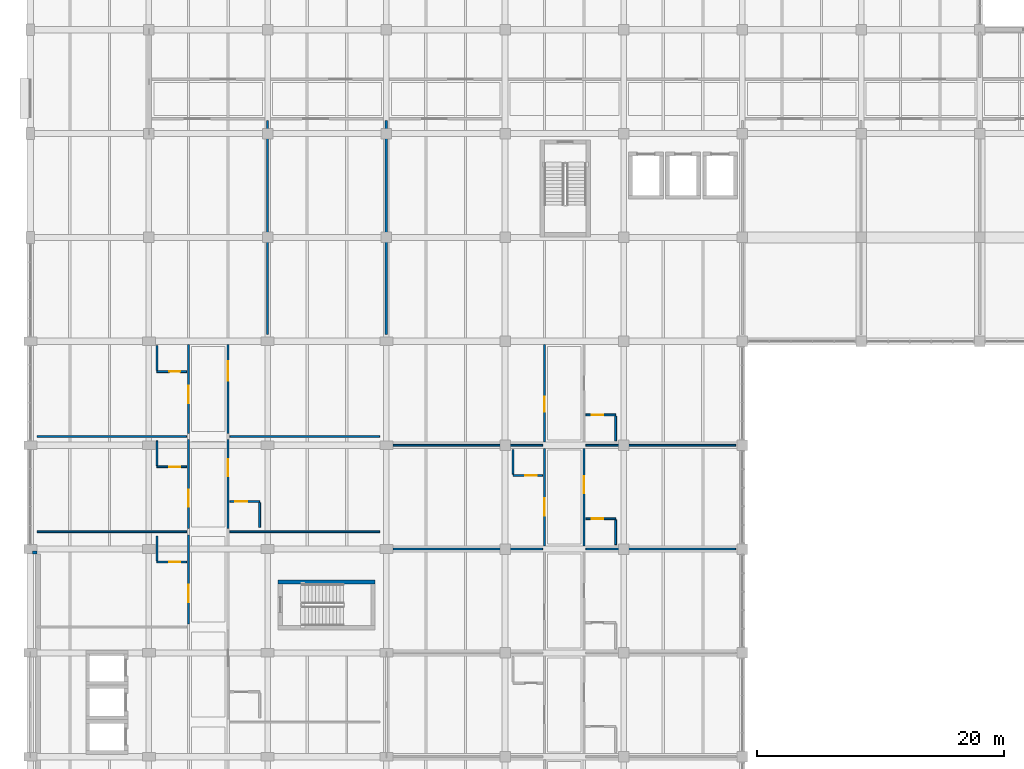
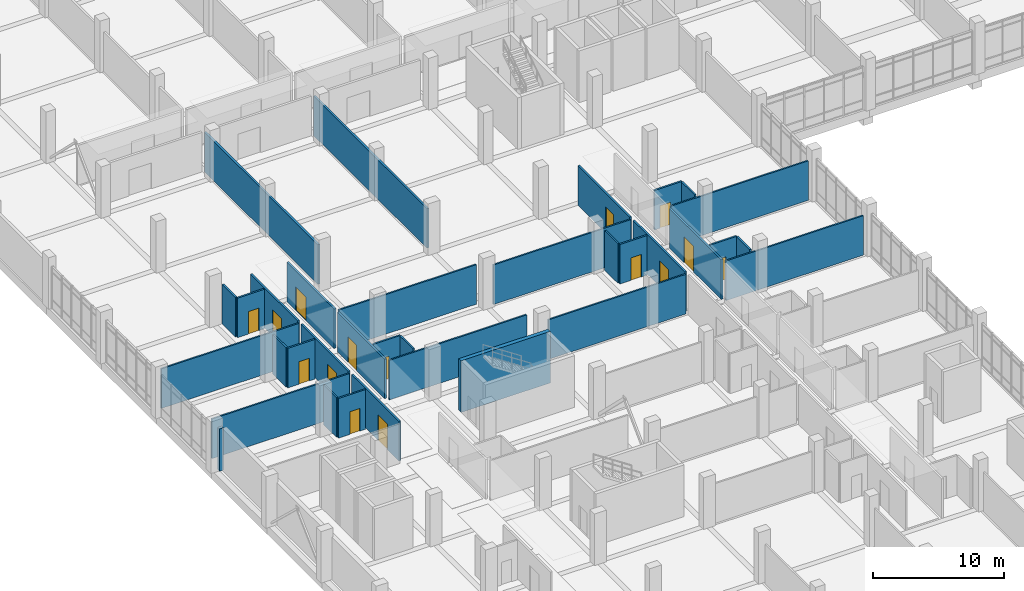
# One storey, part 122 of 152: 34 walls, 15 doors, 15 openings.
"""IFC4 building model written with IfcOpenShell, lengths in metres."""

from ifc_helpers import new_model, si_unit, direction, frame, frame_2d, origin, place, context, subcontext, project, spatial, rectangle, extrude, material, layer, layer_set, type_object, element, fill, save


model = new_model("IFC4")

# Units and contexts
model_context = context("Model", 3, precision=1e-05, world=origin(), true_north=direction((0.0, 1.0)))
body_context = subcontext(model_context, "Body", "Model", "MODEL_VIEW")
ifc_project = project(units=[si_unit("LENGTHUNIT", "METRE"), si_unit("AREAUNIT", "SQUARE_METRE"), si_unit("VOLUMEUNIT", "CUBIC_METRE"), si_unit("PLANEANGLEUNIT", "RADIAN"), si_unit("MASSUNIT", "GRAM", prefix="KILO")], contexts=[model_context])

# Site, building, storey
site_placement = place(None, origin())
site = spatial("IfcSite", under=ifc_project, at=site_placement, CompositionType="ELEMENT")
building_placement = place(site_placement, origin())
building = spatial("IfcBuilding", under=site, at=building_placement, Name="Oolite Switchyard Hospital", CompositionType="ELEMENT")
storey_placement = place(building_placement, frame((0.0, 0.0, 5.10009765625)))
storey = spatial("IfcBuildingStorey", under=building, at=storey_placement, Name="L01", CompositionType="ELEMENT", Elevation=5.10009765625)

# Walls
ifc_material_1 = material(Name="Precast oolitic limestone architectural concrete C40/50", Category="masonry")
ifc_layer_1 = layer(ifc_material_1, 0.260009765625)
ifc_layer_set_1 = layer_set([ifc_layer_1], Name="WAL-EXT-260")
wall_type_1 = type_object("IfcWallType", Name="WAL-EXT-260", PredefinedType="SOLIDWALL", material=ifc_layer_set_1)
wall_1_placement = place(storey_placement, frame((0.199951171875, 66.919921875, 0.0), z_axis=(0.0, 0.0, 1.0), x_axis=(1.0, 0.0, 0.0)))
element("IfcWall", 1, at=wall_1_placement, inside=storey, type_object=wall_type_1, Name="L01 Brace Alcove Cheek Wall 102", PredefinedType="SOLIDWALL", context=body_context, shape_type="SweptSolid", body=[
    extrude(rectangle(XDim=0.360107421875, YDim=0.260009765625, at=frame_2d((0.18017578125, 0.0))), origin(), (0.0, 0.0, 1.0), 3.93994140625),
])
ifc_material_2 = material(Name="Moisture-resistant gypsum board on steel studs", Category="steel")
ifc_layer_2 = layer(ifc_material_2, 0.135009765625)
ifc_layer_set_2 = layer_set([ifc_layer_2], Name="WAL-PART-135")
wall_type_2 = type_object("IfcWallType", Name="WAL-PART-135", PredefinedType="PARTITIONING", material=ifc_layer_set_2)
wall_2_placement = place(storey_placement, frame((0.550048828125, 68.60009765625, 0.0), z_axis=(0.0, 0.0, 1.0), x_axis=(1.0, 0.0, 0.0)))
element("IfcWall", 2, at=wall_2_placement, inside=storey, type_object=wall_type_2, Name="L01 Interior Partition 228", PredefinedType="PARTITIONING", context=body_context, shape_type="SweptSolid", body=[
    extrude(rectangle(XDim=12.099853515625, YDim=0.135009765625, at=frame_2d((6.0498046875, 0.0))), origin(), (0.0, 0.0, 1.0), 3.679931640625),
])
wall_3_placement = place(storey_placement, frame((16.14990234375, 68.60009765625, 0.0), z_axis=(0.0, 0.0, 1.0), x_axis=(1.0, 0.0, 0.0)))
element("IfcWall", 3, at=wall_3_placement, inside=storey, type_object=wall_type_2, Name="L01 Interior Partition 232", PredefinedType="PARTITIONING", context=body_context, shape_type="SweptSolid", body=[
    extrude(rectangle(XDim=12.10009765625, YDim=0.135009765625, at=frame_2d((6.050048828125, 0.0))), origin(), (0.0, 0.0, 1.0), 3.679931640625),
])
wall_4_placement = place(storey_placement, frame((0.550048828125, 76.300048828125, 0.0), z_axis=(0.0, 0.0, 1.0), x_axis=(1.0, 0.0, 0.0)))
element("IfcWall", 4, at=wall_4_placement, inside=storey, type_object=wall_type_2, Name="L01 Interior Partition 236", PredefinedType="PARTITIONING", context=body_context, shape_type="SweptSolid", body=[
    extrude(rectangle(XDim=12.099853515625, YDim=0.135009765625, at=frame_2d((6.0498046875, 0.0))), origin(), (0.0, 0.0, 1.0), 3.679931640625),
])
wall_5_placement = place(storey_placement, frame((16.14990234375, 76.300048828125, 0.0), z_axis=(0.0, 0.0, 1.0), x_axis=(1.0, 0.0, 0.0)))
element("IfcWall", 5, at=wall_5_placement, inside=storey, type_object=wall_type_2, Name="L01 Interior Partition 238", PredefinedType="PARTITIONING", context=body_context, shape_type="SweptSolid", body=[
    extrude(rectangle(XDim=12.10009765625, YDim=0.135009765625, at=frame_2d((6.050048828125, 0.0))), origin(), (0.0, 0.0, 1.0), 3.679931640625),
])
wall_6_placement = place(storey_placement, frame((29.35009765625, 67.199951171875, 0.0), z_axis=(0.0, 0.0, 1.0), x_axis=(1.0, 0.0, 0.0)))
element("IfcWall", 6, at=wall_6_placement, inside=storey, type_object=wall_type_2, Name="L01 Interior Partition 264", PredefinedType="PARTITIONING", context=body_context, shape_type="SweptSolid", body=[
    extrude(rectangle(XDim=12.099853515625, YDim=0.135009765625, at=frame_2d((6.0498046875, 0.0))), origin(), (0.0, 0.0, 1.0), 3.679931640625),
])
wall_7_placement = place(storey_placement, frame((44.949951171875, 67.199951171875, 0.0), z_axis=(0.0, 0.0, 1.0), x_axis=(1.0, 0.0, 0.0)))
element("IfcWall", 7, at=wall_7_placement, inside=storey, type_object=wall_type_2, Name="L01 Interior Partition 268", PredefinedType="PARTITIONING", context=body_context, shape_type="SweptSolid", body=[
    extrude(rectangle(XDim=12.10009765625, YDim=0.135009765625, at=frame_2d((6.050048828125, 0.0))), origin(), (0.0, 0.0, 1.0), 3.679931640625),
])
wall_8_placement = place(storey_placement, frame((29.35009765625, 75.60009765625, 0.0), z_axis=(0.0, 0.0, 1.0), x_axis=(1.0, 0.0, 0.0)))
element("IfcWall", 8, at=wall_8_placement, inside=storey, type_object=wall_type_2, Name="L01 Interior Partition 270", PredefinedType="PARTITIONING", context=body_context, shape_type="SweptSolid", body=[
    extrude(rectangle(XDim=12.099853515625, YDim=0.135009765625, at=frame_2d((6.0498046875, 0.0))), origin(), (0.0, 0.0, 1.0), 3.679931640625),
])
wall_9_placement = place(storey_placement, frame((44.949951171875, 75.60009765625, 0.0), z_axis=(0.0, 0.0, 1.0), x_axis=(1.0, 0.0, 0.0)))
element("IfcWall", 9, at=wall_9_placement, inside=storey, type_object=wall_type_2, Name="L01 Interior Partition 274", PredefinedType="PARTITIONING", context=body_context, shape_type="SweptSolid", body=[
    extrude(rectangle(XDim=12.10009765625, YDim=0.135009765625, at=frame_2d((6.050048828125, 0.0))), origin(), (0.0, 0.0, 1.0), 3.679931640625),
])

# Wall, opening, door
ifc_layer_3 = layer(ifc_material_2, 0.14990234375)
ifc_layer_set_3 = layer_set([ifc_layer_3], Name="WAL-PART-150")
wall_type_3 = type_object("IfcWallType", Name="WAL-PART-150", PredefinedType="PARTITIONING", material=ifc_layer_set_3)
wall_10_placement = place(storey_placement, frame((10.25, 66.14990234375, 0.0), z_axis=(0.0, 0.0, 1.0), x_axis=(1.0, 0.0, 0.0)))
wall_10 = element("IfcWall", 10, at=wall_10_placement, inside=storey, type_object=wall_type_3, Name="L01 Interior Partition 222", PredefinedType="PARTITIONING", context=body_context, shape_type="SweptSolid", body=[
    extrude(rectangle(XDim=2.39990234375, YDim=0.14990234375, at=frame_2d((1.199951171875, 0.0))), origin(), (0.0, 0.0, 1.0), 3.679931640625),
])
opening_1_placement = place(wall_10_placement, frame((1.0, 0.0, 0.0)))
opening_1 = element("IfcOpeningElement", 11, at=opening_1_placement, cuts=wall_10, Name="Opening D-0133", PredefinedType="OPENING", context=body_context, shape_type="SweptSolid", body=[
    extrude(rectangle(XDim=0.89990234375, YDim=2.10009765625, at=frame_2d((0.449951171875, 1.050048828125))), frame((0.0, 0.0849609375, 0.0), z_axis=(0.0, -1.0, 0.0), x_axis=(1.0, 0.0, 0.0)), (0.0, 0.0, 1.0), 0.169921875),
])
ifc_material_3 = material(Name="Solid-core antimicrobial hardwood leaf in steel frame", Category="steel")
door_type_1 = type_object("IfcDoorType", Name="DR-BATH-090X210", OperationType="NOTDEFINED", PredefinedType="DOOR", material=ifc_material_3)
door_1_placement = place(opening_1_placement, origin())
door_1 = element("IfcDoor", 12, at=door_1_placement, inside=storey, type_object=door_type_1, Name="L01 Interior Door D-0133", OperationType="SINGLE_SWING_LEFT", OverallHeight=2.10009765625, OverallWidth=0.89990234375, PredefinedType="DOOR", context=body_context, shape_type="SweptSolid", body=[
    extrude(rectangle(XDim=0.89990234375, YDim=2.10009765625, at=frame_2d((0.449951171875, 1.050048828125))), frame((0.0, 0.02490234375, 0.0), z_axis=(0.0, -1.0, 0.0), x_axis=(1.0, 0.0, 0.0)), (0.0, 0.0, 1.0), 0.050048828125),
])
fill(opening_1, door_1)

# Wall
wall_11_placement = place(storey_placement, frame((10.25, 66.25, 0.0), z_axis=(0.0, 0.0, 1.0), x_axis=(0.0, 1.0, 0.0)))
element("IfcWall", 13, at=wall_11_placement, inside=storey, type_object=wall_type_3, Name="L01 Interior Partition 223", PredefinedType="PARTITIONING", context=body_context, shape_type="SweptSolid", body=[
    extrude(rectangle(XDim=2.0, YDim=0.14990234375, at=frame_2d((1.0, 0.0))), origin(), (0.0, 0.0, 1.0), 3.679931640625),
])

# Wall, opening, door
wall_12_placement = place(storey_placement, frame((10.25, 73.85009765625, 0.0), z_axis=(0.0, 0.0, 1.0), x_axis=(1.0, 0.0, 0.0)))
wall_12 = element("IfcWall", 14, at=wall_12_placement, inside=storey, type_object=wall_type_3, Name="L01 Interior Partition 226", PredefinedType="PARTITIONING", context=body_context, shape_type="SweptSolid", body=[
    extrude(rectangle(XDim=2.39990234375, YDim=0.14990234375, at=frame_2d((1.199951171875, 0.0))), origin(), (0.0, 0.0, 1.0), 3.679931640625),
])
opening_2_placement = place(wall_12_placement, frame((1.0, 0.0, 0.0)))
opening_2 = element("IfcOpeningElement", 15, at=opening_2_placement, cuts=wall_12, Name="Opening D-0135", PredefinedType="OPENING", context=body_context, shape_type="SweptSolid", body=[
    extrude(rectangle(XDim=0.89990234375, YDim=2.10009765625, at=frame_2d((0.449951171875, 1.050048828125))), frame((0.0, 0.0849609375, 0.0), z_axis=(0.0, -1.0, 0.0), x_axis=(1.0, 0.0, 0.0)), (0.0, 0.0, 1.0), 0.169921875),
])
door_2_placement = place(opening_2_placement, origin())
door_2 = element("IfcDoor", 16, at=door_2_placement, inside=storey, type_object=door_type_1, Name="L01 Interior Door D-0135", OperationType="SINGLE_SWING_RIGHT", OverallHeight=2.10009765625, OverallWidth=0.89990234375, PredefinedType="DOOR", context=body_context, shape_type="SweptSolid", body=[
    extrude(rectangle(XDim=0.89990234375, YDim=2.10009765625, at=frame_2d((0.449951171875, 1.050048828125))), frame((0.0, 0.02490234375, 0.0), z_axis=(0.0, -1.0, 0.0), x_axis=(1.0, 0.0, 0.0)), (0.0, 0.0, 1.0), 0.050048828125),
])
fill(opening_2, door_2)

# Wall
wall_13_placement = place(storey_placement, frame((10.25, 73.949951171875, 0.0), z_axis=(0.0, 0.0, 1.0), x_axis=(0.0, 1.0, 0.0)))
element("IfcWall", 17, at=wall_13_placement, inside=storey, type_object=wall_type_3, Name="L01 Interior Partition 227", PredefinedType="PARTITIONING", context=body_context, shape_type="SweptSolid", body=[
    extrude(rectangle(XDim=2.0, YDim=0.14990234375, at=frame_2d((1.0, 0.0))), origin(), (0.0, 0.0, 1.0), 3.679931640625),
])

# Wall, opening, door
wall_14_placement = place(storey_placement, frame((16.14990234375, 71.050048828125, 0.0), z_axis=(0.0, 0.0, 1.0), x_axis=(1.0, 0.0, 0.0)))
wall_14 = element("IfcWall", 18, at=wall_14_placement, inside=storey, type_object=wall_type_3, Name="L01 Interior Partition 230", PredefinedType="PARTITIONING", context=body_context, shape_type="SweptSolid", body=[
    extrude(rectangle(XDim=2.400146484375, YDim=0.14990234375, at=frame_2d((1.2001953125, 0.0))), origin(), (0.0, 0.0, 1.0), 3.679931640625),
])
opening_3_placement = place(wall_14_placement, frame((0.449951171875, 0.0, 0.0)))
opening_3 = element("IfcOpeningElement", 19, at=opening_3_placement, cuts=wall_14, Name="Opening D-0137", PredefinedType="OPENING", context=body_context, shape_type="SweptSolid", body=[
    extrude(rectangle(XDim=0.949951171875, YDim=2.10009765625, at=frame_2d((0.47509765625, 1.050048828125))), frame((0.0, 0.0849609375, 0.0), z_axis=(0.0, -1.0, 0.0), x_axis=(1.0, 0.0, 0.0)), (0.0, 0.0, 1.0), 0.169921875),
])
door_type_2 = type_object("IfcDoorType", Name="DR-BATH-095X210", OperationType="NOTDEFINED", PredefinedType="DOOR", material=ifc_material_3)
door_3_placement = place(opening_3_placement, origin())
door_3 = element("IfcDoor", 20, at=door_3_placement, inside=storey, type_object=door_type_2, Name="L01 Interior Door D-0137", OperationType="SINGLE_SWING_LEFT", OverallHeight=2.10009765625, OverallWidth=0.949951171875, PredefinedType="DOOR", context=body_context, shape_type="SweptSolid", body=[
    extrude(rectangle(XDim=0.949951171875, YDim=2.10009765625, at=frame_2d((0.47509765625, 1.050048828125))), frame((0.0, 0.02490234375, 0.0), z_axis=(0.0, -1.0, 0.0), x_axis=(1.0, 0.0, 0.0)), (0.0, 0.0, 1.0), 0.050048828125),
])
fill(opening_3, door_3)

# Wall
wall_15_placement = place(storey_placement, frame((18.550048828125, 68.949951171875, 0.0), z_axis=(0.0, 0.0, 1.0), x_axis=(0.0, 1.0, 0.0)))
element("IfcWall", 21, at=wall_15_placement, inside=storey, type_object=wall_type_3, Name="L01 Interior Partition 231", PredefinedType="PARTITIONING", context=body_context, shape_type="SweptSolid", body=[
    extrude(rectangle(XDim=2.0, YDim=0.14990234375, at=frame_2d((1.0, 0.0))), origin(), (0.0, 0.0, 1.0), 3.679931640625),
])

# Wall, opening, door
wall_16_placement = place(storey_placement, frame((10.25, 81.550048828125, 0.0), z_axis=(0.0, 0.0, 1.0), x_axis=(1.0, 0.0, 0.0)))
wall_16 = element("IfcWall", 22, at=wall_16_placement, inside=storey, type_object=wall_type_3, Name="L01 Interior Partition 234", PredefinedType="PARTITIONING", context=body_context, shape_type="SweptSolid", body=[
    extrude(rectangle(XDim=2.39990234375, YDim=0.14990234375, at=frame_2d((1.199951171875, 0.0))), origin(), (0.0, 0.0, 1.0), 3.679931640625),
])
opening_4_placement = place(wall_16_placement, frame((1.0, 0.0, 0.0)))
opening_4 = element("IfcOpeningElement", 23, at=opening_4_placement, cuts=wall_16, Name="Opening D-0139", PredefinedType="OPENING", context=body_context, shape_type="SweptSolid", body=[
    extrude(rectangle(XDim=0.89990234375, YDim=2.10009765625, at=frame_2d((0.449951171875, 1.050048828125))), frame((0.0, 0.0849609375, 0.0), z_axis=(0.0, -1.0, 0.0), x_axis=(1.0, 0.0, 0.0)), (0.0, 0.0, 1.0), 0.169921875),
])
door_4_placement = place(opening_4_placement, origin())
door_4 = element("IfcDoor", 24, at=door_4_placement, inside=storey, type_object=door_type_1, Name="L01 Interior Door D-0139", OperationType="SINGLE_SWING_LEFT", OverallHeight=2.10009765625, OverallWidth=0.89990234375, PredefinedType="DOOR", context=body_context, shape_type="SweptSolid", body=[
    extrude(rectangle(XDim=0.89990234375, YDim=2.10009765625, at=frame_2d((0.449951171875, 1.050048828125))), frame((0.0, 0.02490234375, 0.0), z_axis=(0.0, -1.0, 0.0), x_axis=(1.0, 0.0, 0.0)), (0.0, 0.0, 1.0), 0.050048828125),
])
fill(opening_4, door_4)

# Wall
wall_17_placement = place(storey_placement, frame((10.25, 81.64990234375, 0.0), z_axis=(0.0, 0.0, 1.0), x_axis=(0.0, 1.0, 0.0)))
element("IfcWall", 25, at=wall_17_placement, inside=storey, type_object=wall_type_3, Name="L01 Interior Partition 235", PredefinedType="PARTITIONING", context=body_context, shape_type="SweptSolid", body=[
    extrude(rectangle(XDim=2.0, YDim=0.14990234375, at=frame_2d((1.0, 0.0))), origin(), (0.0, 0.0, 1.0), 3.679931640625),
])

# Wall, opening, door
wall_18_placement = place(storey_placement, frame((39.050048828125, 73.14990234375, 0.0), z_axis=(0.0, 0.0, 1.0), x_axis=(1.0, 0.0, 0.0)))
wall_18 = element("IfcWall", 26, at=wall_18_placement, inside=storey, type_object=wall_type_3, Name="L01 Interior Partition 262", PredefinedType="PARTITIONING", context=body_context, shape_type="SweptSolid", body=[
    extrude(rectangle(XDim=2.39990234375, YDim=0.14990234375, at=frame_2d((1.199951171875, 0.0))), origin(), (0.0, 0.0, 1.0), 3.679931640625),
])
opening_5_placement = place(wall_18_placement, frame((1.0, 0.0, 0.0)))
opening_5 = element("IfcOpeningElement", 27, at=opening_5_placement, cuts=wall_18, Name="Opening D-0154", PredefinedType="OPENING", context=body_context, shape_type="SweptSolid", body=[
    extrude(rectangle(XDim=0.89990234375, YDim=2.10009765625, at=frame_2d((0.449951171875, 1.050048828125))), frame((0.0, 0.0849609375, 0.0), z_axis=(0.0, -1.0, 0.0), x_axis=(1.0, 0.0, 0.0)), (0.0, 0.0, 1.0), 0.169921875),
])
door_5_placement = place(opening_5_placement, origin())
door_5 = element("IfcDoor", 28, at=door_5_placement, inside=storey, type_object=door_type_1, Name="L01 Interior Door D-0154", OperationType="SINGLE_SWING_RIGHT", OverallHeight=2.10009765625, OverallWidth=0.89990234375, PredefinedType="DOOR", context=body_context, shape_type="SweptSolid", body=[
    extrude(rectangle(XDim=0.89990234375, YDim=2.10009765625, at=frame_2d((0.449951171875, 1.050048828125))), frame((0.0, 0.02490234375, 0.0), z_axis=(0.0, -1.0, 0.0), x_axis=(1.0, 0.0, 0.0)), (0.0, 0.0, 1.0), 0.050048828125),
])
fill(opening_5, door_5)

# Wall
wall_19_placement = place(storey_placement, frame((39.050048828125, 73.25, 0.0), z_axis=(0.0, 0.0, 1.0), x_axis=(0.0, 1.0, 0.0)))
element("IfcWall", 29, at=wall_19_placement, inside=storey, type_object=wall_type_3, Name="L01 Interior Partition 263", PredefinedType="PARTITIONING", context=body_context, shape_type="SweptSolid", body=[
    extrude(rectangle(XDim=2.0, YDim=0.14990234375, at=frame_2d((1.0, 0.0))), origin(), (0.0, 0.0, 1.0), 3.679931640625),
])

# Wall, opening, door
wall_20_placement = place(storey_placement, frame((44.949951171875, 69.64990234375, 0.0), z_axis=(0.0, 0.0, 1.0), x_axis=(1.0, 0.0, 0.0)))
wall_20 = element("IfcWall", 30, at=wall_20_placement, inside=storey, type_object=wall_type_3, Name="L01 Interior Partition 266", PredefinedType="PARTITIONING", context=body_context, shape_type="SweptSolid", body=[
    extrude(rectangle(XDim=2.400146484375, YDim=0.14990234375, at=frame_2d((1.2001953125, 0.0))), origin(), (0.0, 0.0, 1.0), 3.679931640625),
])
opening_6_placement = place(wall_20_placement, frame((0.449951171875, 0.0, 0.0)))
opening_6 = element("IfcOpeningElement", 31, at=opening_6_placement, cuts=wall_20, Name="Opening D-0156", PredefinedType="OPENING", context=body_context, shape_type="SweptSolid", body=[
    extrude(rectangle(XDim=0.949951171875, YDim=2.10009765625, at=frame_2d((0.47509765625, 1.050048828125))), frame((0.0, 0.0849609375, 0.0), z_axis=(0.0, -1.0, 0.0), x_axis=(1.0, 0.0, 0.0)), (0.0, 0.0, 1.0), 0.169921875),
])
door_6_placement = place(opening_6_placement, origin())
door_6 = element("IfcDoor", 32, at=door_6_placement, inside=storey, type_object=door_type_2, Name="L01 Interior Door D-0156", OperationType="SINGLE_SWING_LEFT", OverallHeight=2.10009765625, OverallWidth=0.949951171875, PredefinedType="DOOR", context=body_context, shape_type="SweptSolid", body=[
    extrude(rectangle(XDim=0.949951171875, YDim=2.10009765625, at=frame_2d((0.47509765625, 1.050048828125))), frame((0.0, 0.02490234375, 0.0), z_axis=(0.0, -1.0, 0.0), x_axis=(1.0, 0.0, 0.0)), (0.0, 0.0, 1.0), 0.050048828125),
])
fill(opening_6, door_6)

# Wall
wall_21_placement = place(storey_placement, frame((47.35009765625, 67.550048828125, 0.0), z_axis=(0.0, 0.0, 1.0), x_axis=(0.0, 1.0, 0.0)))
element("IfcWall", 33, at=wall_21_placement, inside=storey, type_object=wall_type_3, Name="L01 Interior Partition 267", PredefinedType="PARTITIONING", context=body_context, shape_type="SweptSolid", body=[
    extrude(rectangle(XDim=2.0, YDim=0.14990234375, at=frame_2d((1.0, 0.0))), origin(), (0.0, 0.0, 1.0), 3.679931640625),
])

# Wall, opening, door
wall_22_placement = place(storey_placement, frame((44.949951171875, 78.050048828125, 0.0), z_axis=(0.0, 0.0, 1.0), x_axis=(1.0, 0.0, 0.0)))
wall_22 = element("IfcWall", 34, at=wall_22_placement, inside=storey, type_object=wall_type_3, Name="L01 Interior Partition 272", PredefinedType="PARTITIONING", context=body_context, shape_type="SweptSolid", body=[
    extrude(rectangle(XDim=2.400146484375, YDim=0.14990234375, at=frame_2d((1.2001953125, 0.0))), origin(), (0.0, 0.0, 1.0), 3.679931640625),
])
opening_7_placement = place(wall_22_placement, frame((0.449951171875, 0.0, 0.0)))
opening_7 = element("IfcOpeningElement", 35, at=opening_7_placement, cuts=wall_22, Name="Opening D-0159", PredefinedType="OPENING", context=body_context, shape_type="SweptSolid", body=[
    extrude(rectangle(XDim=0.949951171875, YDim=2.10009765625, at=frame_2d((0.47509765625, 1.050048828125))), frame((0.0, 0.0849609375, 0.0), z_axis=(0.0, -1.0, 0.0), x_axis=(1.0, 0.0, 0.0)), (0.0, 0.0, 1.0), 0.169921875),
])
door_7_placement = place(opening_7_placement, origin())
door_7 = element("IfcDoor", 36, at=door_7_placement, inside=storey, type_object=door_type_2, Name="L01 Interior Door D-0159", OperationType="SINGLE_SWING_RIGHT", OverallHeight=2.10009765625, OverallWidth=0.949951171875, PredefinedType="DOOR", context=body_context, shape_type="SweptSolid", body=[
    extrude(rectangle(XDim=0.949951171875, YDim=2.10009765625, at=frame_2d((0.47509765625, 1.050048828125))), frame((0.0, 0.02490234375, 0.0), z_axis=(0.0, -1.0, 0.0), x_axis=(1.0, 0.0, 0.0)), (0.0, 0.0, 1.0), 0.050048828125),
])
fill(opening_7, door_7)

# Wall
wall_23_placement = place(storey_placement, frame((47.35009765625, 75.949951171875, 0.0), z_axis=(0.0, 0.0, 1.0), x_axis=(0.0, 1.0, 0.0)))
element("IfcWall", 37, at=wall_23_placement, inside=storey, type_object=wall_type_3, Name="L01 Interior Partition 273", PredefinedType="PARTITIONING", context=body_context, shape_type="SweptSolid", body=[
    extrude(rectangle(XDim=2.0, YDim=0.14990234375, at=frame_2d((1.0, 0.0))), origin(), (0.0, 0.0, 1.0), 3.679931640625),
])

# Wall, opening, door
ifc_layer_4 = layer(ifc_material_2, 0.1650390625)
ifc_layer_set_4 = layer_set([ifc_layer_4], Name="WAL-PART-165")
wall_type_4 = type_object("IfcWallType", Name="WAL-PART-165", PredefinedType="PARTITIONING", material=ifc_layer_set_4)
wall_24_placement = place(storey_placement, frame((12.800048828125, 61.14990234375, 0.0), z_axis=(0.0, 0.0, 1.0), x_axis=(0.0, 1.0, 0.0)))
wall_24 = element("IfcWall", 38, at=wall_24_placement, inside=storey, type_object=wall_type_4, Name="L01 Interior Partition 221", PredefinedType="PARTITIONING", context=body_context, shape_type="SweptSolid", body=[
    extrude(rectangle(XDim=7.2001953125, YDim=0.1650390625, at=frame_2d((3.60009765625, 0.0))), origin(), (0.0, 0.0, 1.0), 3.679931640625),
])
opening_8_placement = place(wall_24_placement, frame((1.75, 0.0, 0.0)))
opening_8 = element("IfcOpeningElement", 39, at=opening_8_placement, cuts=wall_24, Name="Opening D-0132", PredefinedType="OPENING", context=body_context, shape_type="SweptSolid", body=[
    extrude(rectangle(XDim=1.39990234375, YDim=2.39990234375, at=frame_2d((0.699951171875, 1.199951171875))), frame((0.0, 0.092529296875, 0.0), z_axis=(0.0, -1.0, 0.0), x_axis=(1.0, 0.0, 0.0)), (0.0, 0.0, 1.0), 0.18505859375),
])
door_type_3 = type_object("IfcDoorType", Name="DR-ICU-140X240", OperationType="NOTDEFINED", PredefinedType="DOOR", material=ifc_material_3)
door_8_placement = place(opening_8_placement, origin())
door_8 = element("IfcDoor", 40, at=door_8_placement, inside=storey, type_object=door_type_3, Name="L01 Interior Door D-0132", OperationType="SINGLE_SWING_RIGHT", OverallHeight=2.39990234375, OverallWidth=1.39990234375, PredefinedType="DOOR", context=body_context, shape_type="SweptSolid", body=[
    extrude(rectangle(XDim=1.39990234375, YDim=2.39990234375, at=frame_2d((0.699951171875, 1.199951171875))), frame((0.0, 0.02490234375, 0.0), z_axis=(0.0, -1.0, 0.0), x_axis=(1.0, 0.0, 0.0)), (0.0, 0.0, 1.0), 0.050048828125),
])
fill(opening_8, door_8)

wall_25_placement = place(storey_placement, frame((12.800048828125, 68.85009765625, 0.0), z_axis=(0.0, 0.0, 1.0), x_axis=(0.0, 1.0, 0.0)))
wall_25 = element("IfcWall", 41, at=wall_25_placement, inside=storey, type_object=wall_type_4, Name="L01 Interior Partition 225", PredefinedType="PARTITIONING", context=body_context, shape_type="SweptSolid", body=[
    extrude(rectangle(XDim=7.199951171875, YDim=0.1650390625, at=frame_2d((3.60009765625, 0.0))), origin(), (0.0, 0.0, 1.0), 3.679931640625),
])
opening_9_placement = place(wall_25_placement, frame((1.75, 0.0, 0.0)))
opening_9 = element("IfcOpeningElement", 42, at=opening_9_placement, cuts=wall_25, Name="Opening D-0134", PredefinedType="OPENING", context=body_context, shape_type="SweptSolid", body=[
    extrude(rectangle(XDim=1.39990234375, YDim=2.39990234375, at=frame_2d((0.699951171875, 1.199951171875))), frame((0.0, 0.092529296875, 0.0), z_axis=(0.0, -1.0, 0.0), x_axis=(1.0, 0.0, 0.0)), (0.0, 0.0, 1.0), 0.18505859375),
])
door_9_placement = place(opening_9_placement, origin())
door_9 = element("IfcDoor", 43, at=door_9_placement, inside=storey, type_object=door_type_3, Name="L01 Interior Door D-0134", OperationType="SINGLE_SWING_LEFT", OverallHeight=2.39990234375, OverallWidth=1.39990234375, PredefinedType="DOOR", context=body_context, shape_type="SweptSolid", body=[
    extrude(rectangle(XDim=1.39990234375, YDim=2.39990234375, at=frame_2d((0.699951171875, 1.199951171875))), frame((0.0, 0.02490234375, 0.0), z_axis=(0.0, -1.0, 0.0), x_axis=(1.0, 0.0, 0.0)), (0.0, 0.0, 1.0), 0.050048828125),
])
fill(opening_9, door_9)

wall_26_placement = place(storey_placement, frame((16.0, 68.85009765625, 0.0), z_axis=(0.0, 0.0, 1.0), x_axis=(0.0, 1.0, 0.0)))
wall_26 = element("IfcWall", 44, at=wall_26_placement, inside=storey, type_object=wall_type_4, Name="L01 Interior Partition 229", PredefinedType="PARTITIONING", context=body_context, shape_type="SweptSolid", body=[
    extrude(rectangle(XDim=7.199951171875, YDim=0.1650390625, at=frame_2d((3.60009765625, 0.0))), origin(), (0.0, 0.0, 1.0), 3.679931640625),
])
opening_10_placement = place(wall_26_placement, frame((4.25, 0.0, 0.0)))
opening_10 = element("IfcOpeningElement", 45, at=opening_10_placement, cuts=wall_26, Name="Opening D-0136", PredefinedType="OPENING", context=body_context, shape_type="SweptSolid", body=[
    extrude(rectangle(XDim=1.35009765625, YDim=2.39990234375, at=frame_2d((0.675048828125, 1.199951171875))), frame((0.0, 0.092529296875, 0.0), z_axis=(0.0, -1.0, 0.0), x_axis=(1.0, 0.0, 0.0)), (0.0, 0.0, 1.0), 0.18505859375),
])
door_type_4 = type_object("IfcDoorType", Name="DR-ICU-135X240", OperationType="NOTDEFINED", PredefinedType="DOOR", material=ifc_material_3)
door_10_placement = place(opening_10_placement, origin())
door_10 = element("IfcDoor", 46, at=door_10_placement, inside=storey, type_object=door_type_4, Name="L01 Interior Door D-0136", OperationType="SINGLE_SWING_RIGHT", OverallHeight=2.39990234375, OverallWidth=1.35009765625, PredefinedType="DOOR", context=body_context, shape_type="SweptSolid", body=[
    extrude(rectangle(XDim=1.35009765625, YDim=2.39990234375, at=frame_2d((0.675048828125, 1.199951171875))), frame((0.0, 0.02490234375, 0.0), z_axis=(0.0, -1.0, 0.0), x_axis=(1.0, 0.0, 0.0)), (0.0, 0.0, 1.0), 0.050048828125),
])
fill(opening_10, door_10)

wall_27_placement = place(storey_placement, frame((12.800048828125, 76.550048828125, 0.0), z_axis=(0.0, 0.0, 1.0), x_axis=(0.0, 1.0, 0.0)))
wall_27 = element("IfcWall", 47, at=wall_27_placement, inside=storey, type_object=wall_type_4, Name="L01 Interior Partition 233", PredefinedType="PARTITIONING", context=body_context, shape_type="SweptSolid", body=[
    extrude(rectangle(XDim=7.199951171875, YDim=0.1650390625, at=frame_2d((3.60009765625, 0.0))), origin(), (0.0, 0.0, 1.0), 3.679931640625),
])
opening_11_placement = place(wall_27_placement, frame((2.449951171875, 0.0, 0.0)))
opening_11 = element("IfcOpeningElement", 48, at=opening_11_placement, cuts=wall_27, Name="Opening D-0138", PredefinedType="OPENING", context=body_context, shape_type="SweptSolid", body=[
    extrude(rectangle(XDim=1.39990234375, YDim=2.39990234375, at=frame_2d((0.699951171875, 1.199951171875))), frame((0.0, 0.092529296875, 0.0), z_axis=(0.0, -1.0, 0.0), x_axis=(1.0, 0.0, 0.0)), (0.0, 0.0, 1.0), 0.18505859375),
])
door_11_placement = place(opening_11_placement, origin())
door_11 = element("IfcDoor", 49, at=door_11_placement, inside=storey, type_object=door_type_3, Name="L01 Interior Door D-0138", OperationType="SINGLE_SWING_RIGHT", OverallHeight=2.39990234375, OverallWidth=1.39990234375, PredefinedType="DOOR", context=body_context, shape_type="SweptSolid", body=[
    extrude(rectangle(XDim=1.39990234375, YDim=2.39990234375, at=frame_2d((0.699951171875, 1.199951171875))), frame((0.0, 0.02490234375, 0.0), z_axis=(0.0, -1.0, 0.0), x_axis=(1.0, 0.0, 0.0)), (0.0, 0.0, 1.0), 0.050048828125),
])
fill(opening_11, door_11)

wall_28_placement = place(storey_placement, frame((16.0, 76.550048828125, 0.0), z_axis=(0.0, 0.0, 1.0), x_axis=(0.0, 1.0, 0.0)))
wall_28 = element("IfcWall", 50, at=wall_28_placement, inside=storey, type_object=wall_type_4, Name="L01 Interior Partition 237", PredefinedType="PARTITIONING", context=body_context, shape_type="SweptSolid", body=[
    extrude(rectangle(XDim=7.199951171875, YDim=0.1650390625, at=frame_2d((3.60009765625, 0.0))), origin(), (0.0, 0.0, 1.0), 3.679931640625),
])
opening_12_placement = place(wall_28_placement, frame((4.25, 0.0, 0.0)))
opening_12 = element("IfcOpeningElement", 51, at=opening_12_placement, cuts=wall_28, Name="Opening D-0140", PredefinedType="OPENING", context=body_context, shape_type="SweptSolid", body=[
    extrude(rectangle(XDim=1.60009765625, YDim=2.199951171875, at=frame_2d((0.800048828125, 1.10009765625))), frame((0.0, 0.092529296875, 0.0), z_axis=(0.0, -1.0, 0.0), x_axis=(1.0, 0.0, 0.0)), (0.0, 0.0, 1.0), 0.18505859375),
])
ifc_material_4 = material(Name="Hollow metal fire-rated steel door assembly", Category="steel")
door_type_5 = type_object("IfcDoorType", Name="DR-DBL-160X220", OperationType="NOTDEFINED", PredefinedType="DOOR", material=ifc_material_4)
door_12_placement = place(opening_12_placement, origin())
door_12 = element("IfcDoor", 52, at=door_12_placement, inside=storey, type_object=door_type_5, Name="L01 Interior Door D-0140", OperationType="DOUBLE_DOOR_SINGLE_SWING", OverallHeight=2.199951171875, OverallWidth=1.60009765625, PredefinedType="DOOR", context=body_context, shape_type="SweptSolid", body=[
    extrude(rectangle(XDim=1.60009765625, YDim=2.199951171875, at=frame_2d((0.800048828125, 1.10009765625))), frame((0.0, 0.02490234375, 0.0), z_axis=(0.0, -1.0, 0.0), x_axis=(1.0, 0.0, 0.0)), (0.0, 0.0, 1.0), 0.050048828125),
])
fill(opening_12, door_12)

wall_29_placement = place(storey_placement, frame((41.60009765625, 67.449951171875, 0.0), z_axis=(0.0, 0.0, 1.0), x_axis=(0.0, 1.0, 0.0)))
wall_29 = element("IfcWall", 53, at=wall_29_placement, inside=storey, type_object=wall_type_4, Name="L01 Interior Partition 261", PredefinedType="PARTITIONING", context=body_context, shape_type="SweptSolid", body=[
    extrude(rectangle(XDim=7.900146484375, YDim=0.1650390625, at=frame_2d((3.9501953125, 0.0))), origin(), (0.0, 0.0, 1.0), 3.679931640625),
])
opening_13_placement = place(wall_29_placement, frame((2.449951171875, 0.0, 0.0)))
opening_13 = element("IfcOpeningElement", 54, at=opening_13_placement, cuts=wall_29, Name="Opening D-0153", PredefinedType="OPENING", context=body_context, shape_type="SweptSolid", body=[
    extrude(rectangle(XDim=1.39990234375, YDim=2.39990234375, at=frame_2d((0.699951171875, 1.199951171875))), frame((0.0, 0.092529296875, 0.0), z_axis=(0.0, -1.0, 0.0), x_axis=(1.0, 0.0, 0.0)), (0.0, 0.0, 1.0), 0.18505859375),
])
door_13_placement = place(opening_13_placement, origin())
door_13 = element("IfcDoor", 55, at=door_13_placement, inside=storey, type_object=door_type_3, Name="L01 Interior Door D-0153", OperationType="SINGLE_SWING_LEFT", OverallHeight=2.39990234375, OverallWidth=1.39990234375, PredefinedType="DOOR", context=body_context, shape_type="SweptSolid", body=[
    extrude(rectangle(XDim=1.39990234375, YDim=2.39990234375, at=frame_2d((0.699951171875, 1.199951171875))), frame((0.0, 0.02490234375, 0.0), z_axis=(0.0, -1.0, 0.0), x_axis=(1.0, 0.0, 0.0)), (0.0, 0.0, 1.0), 0.050048828125),
])
fill(opening_13, door_13)

wall_30_placement = place(storey_placement, frame((44.800048828125, 67.449951171875, 0.0), z_axis=(0.0, 0.0, 1.0), x_axis=(0.0, 1.0, 0.0)))
wall_30 = element("IfcWall", 56, at=wall_30_placement, inside=storey, type_object=wall_type_4, Name="L01 Interior Partition 265", PredefinedType="PARTITIONING", context=body_context, shape_type="SweptSolid", body=[
    extrude(rectangle(XDim=7.900146484375, YDim=0.1650390625, at=frame_2d((3.9501953125, 0.0))), origin(), (0.0, 0.0, 1.0), 3.679931640625),
])
opening_14_placement = place(wall_30_placement, frame((4.25, 0.0, 0.0)))
opening_14 = element("IfcOpeningElement", 57, at=opening_14_placement, cuts=wall_30, Name="Opening D-0155", PredefinedType="OPENING", context=body_context, shape_type="SweptSolid", body=[
    extrude(rectangle(XDim=1.39990234375, YDim=2.39990234375, at=frame_2d((0.699951171875, 1.199951171875))), frame((0.0, 0.092529296875, 0.0), z_axis=(0.0, -1.0, 0.0), x_axis=(1.0, 0.0, 0.0)), (0.0, 0.0, 1.0), 0.18505859375),
])
door_14_placement = place(opening_14_placement, origin())
door_14 = element("IfcDoor", 58, at=door_14_placement, inside=storey, type_object=door_type_3, Name="L01 Interior Door D-0155", OperationType="SINGLE_SWING_RIGHT", OverallHeight=2.39990234375, OverallWidth=1.39990234375, PredefinedType="DOOR", context=body_context, shape_type="SweptSolid", body=[
    extrude(rectangle(XDim=1.39990234375, YDim=2.39990234375, at=frame_2d((0.699951171875, 1.199951171875))), frame((0.0, 0.02490234375, 0.0), z_axis=(0.0, -1.0, 0.0), x_axis=(1.0, 0.0, 0.0)), (0.0, 0.0, 1.0), 0.050048828125),
])
fill(opening_14, door_14)

wall_31_placement = place(storey_placement, frame((41.60009765625, 75.85009765625, 0.0), z_axis=(0.0, 0.0, 1.0), x_axis=(0.0, 1.0, 0.0)))
wall_31 = element("IfcWall", 59, at=wall_31_placement, inside=storey, type_object=wall_type_4, Name="L01 Interior Partition 269", PredefinedType="PARTITIONING", context=body_context, shape_type="SweptSolid", body=[
    extrude(rectangle(XDim=7.89990234375, YDim=0.1650390625, at=frame_2d((3.949951171875, 0.0))), origin(), (0.0, 0.0, 1.0), 3.679931640625),
])
opening_15_placement = place(wall_31_placement, frame((2.449951171875, 0.0, 0.0)))
opening_15 = element("IfcOpeningElement", 60, at=opening_15_placement, cuts=wall_31, Name="Opening D-0157", PredefinedType="OPENING", context=body_context, shape_type="SweptSolid", body=[
    extrude(rectangle(XDim=1.199951171875, YDim=2.39990234375, at=frame_2d((0.60009765625, 1.199951171875))), frame((0.0, 0.092529296875, 0.0), z_axis=(0.0, -1.0, 0.0), x_axis=(1.0, 0.0, 0.0)), (0.0, 0.0, 1.0), 0.18505859375),
])
door_type_6 = type_object("IfcDoorType", Name="DR-PHARM-120X240", OperationType="NOTDEFINED", PredefinedType="DOOR", material=ifc_material_4)
door_15_placement = place(opening_15_placement, origin())
door_15 = element("IfcDoor", 61, at=door_15_placement, inside=storey, type_object=door_type_6, Name="L01 Interior Door D-0157", OperationType="SINGLE_SWING_RIGHT", OverallHeight=2.39990234375, OverallWidth=1.199951171875, PredefinedType="DOOR", context=body_context, shape_type="SweptSolid", body=[
    extrude(rectangle(XDim=1.199951171875, YDim=2.39990234375, at=frame_2d((0.60009765625, 1.199951171875))), frame((0.0, 0.02490234375, 0.0), z_axis=(0.0, -1.0, 0.0), x_axis=(1.0, 0.0, 0.0)), (0.0, 0.0, 1.0), 0.050048828125),
])
fill(opening_15, door_15)

# Walls
ifc_layer_5 = layer(ifc_material_2, 0.179931640625)
ifc_layer_set_5 = layer_set([ifc_layer_5], Name="WAL-PART-180")
wall_type_5 = type_object("IfcWallType", Name="WAL-PART-180", PredefinedType="PARTITIONING", material=ifc_layer_set_5)
for number, where, z_axis, x_axis, name in (
    (62, (19.199951171875, 84.550048828125, 0.0), (0.0, 0.0, 1.0), (0.0, 1.0, 0.0), "L01 Interior Partition 165"),
    (63, (28.800048828125, 84.550048828125, 0.0), (0.0, 0.0, 1.0), (0.0, 1.0, 0.0), "L01 Interior Partition 169"),
):
    element("IfcWall", number, at=place(storey_placement, frame(where, z_axis=z_axis, x_axis=x_axis)), inside=storey, type_object=wall_type_5, Name=name, PredefinedType="PARTITIONING", context=body_context, shape_type="SweptSolid", body=[
        extrude(rectangle(XDim=17.300048828125, YDim=0.179931640625, at=frame_2d((8.64990234375, 0.0))), origin(), (0.0, 0.0, 1.0), 3.679931640625),
    ])
ifc_material_5 = material(Name="Concrete C50/60", Category="concrete")
ifc_layer_6 = layer(ifc_material_5, 0.35009765625)
ifc_layer_set_6 = layer_set([ifc_layer_6], Name="WAL-SHR-350")
wall_type_6 = type_object("IfcWallType", Name="WAL-SHR-350", PredefinedType="SHEAR", material=ifc_layer_set_6)
wall_32_placement = place(storey_placement, frame((27.89990234375, 64.534912109375, 0.0), z_axis=(0.0, 0.0, 1.0), x_axis=(-1.0, 0.0, 0.0)))
element("IfcWall", 64, at=wall_32_placement, inside=storey, type_object=wall_type_6, Name="L01 Core Shear Wall ST-02", PredefinedType="SHEAR", context=body_context, shape_type="SweptSolid", body=[
    extrude(rectangle(XDim=7.849853515625, YDim=0.35009765625, at=frame_2d((3.9248046875, 0.0))), origin(), (0.0, 0.0, 1.0), 4.7998046875),
])

save(model, "model.ifc")
